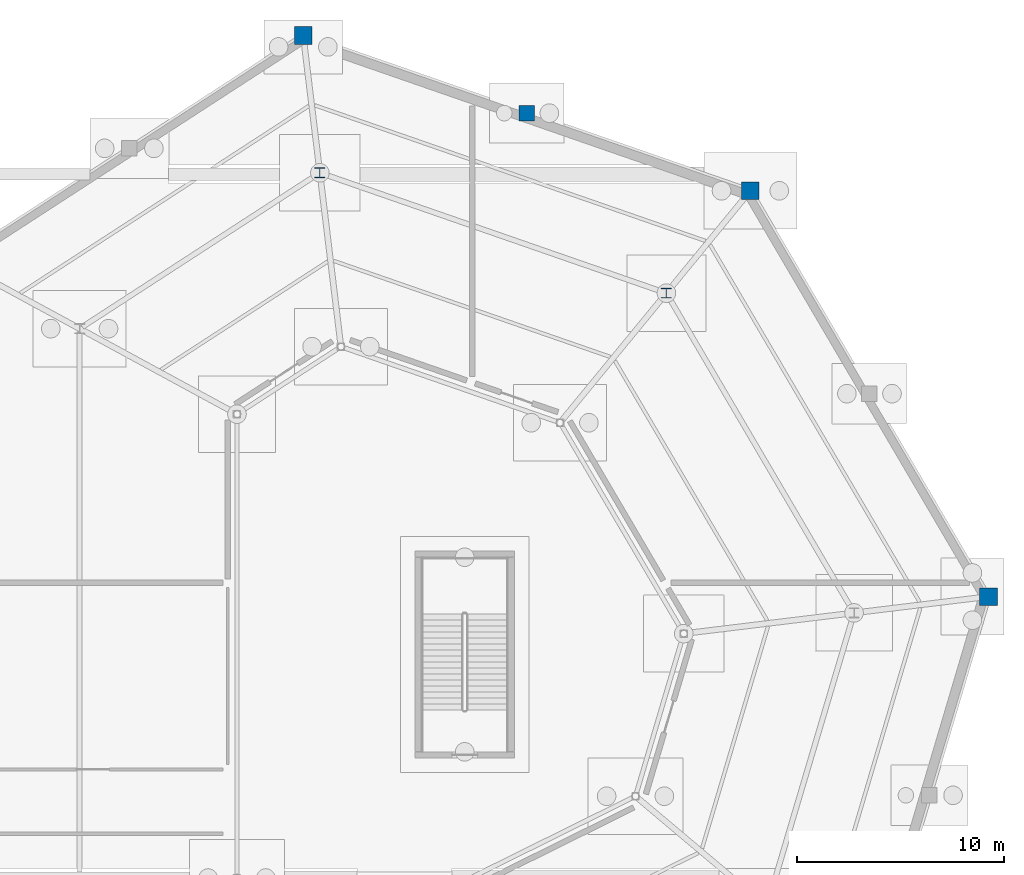
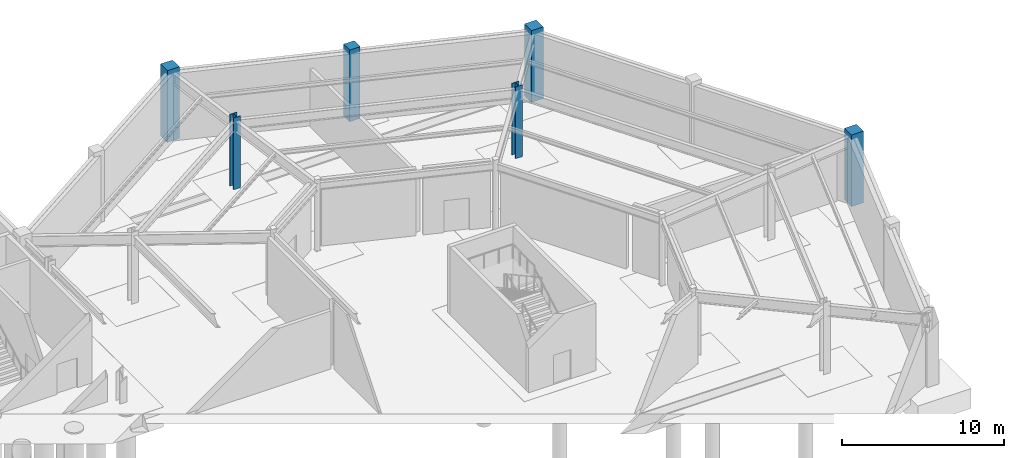
# One storey, part 16 of 48: 6 columns.
"""IFC4 building model written with IfcOpenShell, lengths in metres."""

from ifc_helpers import new_model, si_unit, direction, frame, origin, origin_2d, place, context, subcontext, project, spatial, rectangle, i_section, extrude, material, material_profile, profile_set, type_object, element, save


model = new_model("IFC4")

# Units and contexts
model_context = context("Model", 3, precision=1e-05, world=origin(), true_north=direction((0.0, 1.0)))
body_context = subcontext(model_context, "Body", "Model", "MODEL_VIEW")
ifc_project = project(units=[si_unit("LENGTHUNIT", "METRE"), si_unit("AREAUNIT", "SQUARE_METRE"), si_unit("VOLUMEUNIT", "CUBIC_METRE"), si_unit("PLANEANGLEUNIT", "RADIAN"), si_unit("MASSUNIT", "GRAM", prefix="KILO")], contexts=[model_context])

# Site, building, storey
site_placement = place(None, origin())
site = spatial("IfcSite", under=ifc_project, at=site_placement, CompositionType="ELEMENT")
building_placement = place(site_placement, origin())
building = spatial("IfcBuilding", under=site, at=building_placement, Name="Sarnbrook Museum", CompositionType="ELEMENT")
storey_placement = place(building_placement, frame((0.0, 0.0, -5.39990234375)))
storey = spatial("IfcBuildingStorey", under=building, at=storey_placement, Name="B1", CompositionType="ELEMENT", Elevation=-5.39990234375)

# Columns
ifc_material_1 = material(Name="Concrete N50 (AS 3600, f'c = 50 MPa)", Category="concrete")
ifc_material_profile_1 = material_profile(ifc_material_1, rectangle(XDim=0.75, YDim=0.75, at=origin_2d()), Name="RC 750x750")
ifc_profile_set_1 = profile_set([ifc_material_profile_1], Name="Concrete N50 (AS 3600, f'c = 50 MPa)")
column_type_1 = type_object("IfcColumnType", Name="COL-RC750", PredefinedType="COLUMN", material=ifc_profile_set_1)
column_placement = place(storey_placement, frame((146.800048828125, 111.35009765625, 0.0), z_axis=(0.0, 0.0, 1.0), x_axis=(1.0, 0.0, 0.0)))
element("IfcColumn", 1, at=column_placement, inside=storey, type_object=column_type_1, Name="Colonnade Pier M5 B1", PredefinedType="COLUMN", context=body_context, shape_type="SweptSolid", body=[
    extrude(rectangle(XDim=0.75, YDim=0.75, at=origin_2d()), origin(), (0.0, 0.0, 1.0), 5.39990234375),
])
ifc_material_profile_2 = material_profile(ifc_material_1, rectangle(XDim=0.85009765625, YDim=0.85009765625, at=origin_2d()), Name="RC 850x850")
ifc_profile_set_2 = profile_set([ifc_material_profile_2], Name="Concrete N50 (AS 3600, f'c = 50 MPa)")
column_type_2 = type_object("IfcColumnType", Name="COL-RC850", PredefinedType="COLUMN", material=ifc_profile_set_2)
for number, where, z_axis, x_axis, name in (
    (2, (169.10009765625, 88.0, 0.0), (0.0, 0.0, 1.0), (1.0, 0.0, 0.0), "Crystal Pier Column V4 B1"),
    (3, (157.60009765625, 107.60009765625, 0.0), (0.0, 0.0, 1.0), (1.0, 0.0, 0.0), "Crystal Pier Column V5 B1"),
    (4, (136.0, 115.10009765625, 0.0), (0.0, 0.0, 1.0), (1.0, 0.0, 0.0), "Crystal Pier Column V6 B1"),
):
    element("IfcColumn", number, at=place(storey_placement, frame(where, z_axis=z_axis, x_axis=x_axis)), inside=storey, type_object=column_type_2, Name=name, PredefinedType="COLUMN", context=body_context, shape_type="SweptSolid", body=[
        extrude(rectangle(XDim=0.85009765625, YDim=0.85009765625, at=origin_2d()), origin(), (0.0, 0.0, 1.0), 5.39990234375),
    ])
ifc_material_2 = material(Name="Structural Steel Grade 350L0 (AS/NZS 3678, fy = 340 MPa for 20 < t <= 40 mm)", Category="steel")
ifc_material_profile_3 = material_profile(ifc_material_2, i_section(OverallWidth=0.5, OverallDepth=0.489990234375, WebThickness=0.028076171875, FlangeThickness=0.0400390625, at=origin_2d()), Name="500WC340")
ifc_profile_set_3 = profile_set([ifc_material_profile_3], Name="Structural Steel Grade 350L0 (AS/NZS 3678, fy = 340 MPa for 20 < t <= 40 mm)")
column_type_3 = type_object("IfcColumnType", Name="COL-WC500", PredefinedType="COLUMN", material=ifc_profile_set_3)
for number, where, z_axis, x_axis, name in (
    (5, (153.543701171875, 102.656982421875, 0.0), (0.0, 0.0, 1.0), (1.0, 0.0, 0.0), "Crystal Hall Ring Column R1-5 B1"),
    (6, (136.803955078125, 108.469482421875, 0.0), (0.0, 0.0, 1.0), (1.0, 0.0, 0.0), "Crystal Hall Ring Column R1-6 B1"),
):
    element("IfcColumn", number, at=place(storey_placement, frame(where, z_axis=z_axis, x_axis=x_axis)), inside=storey, type_object=column_type_3, Name=name, PredefinedType="COLUMN", context=body_context, shape_type="SweptSolid", body=[
        extrude(i_section(OverallWidth=0.5, OverallDepth=0.489990234375, WebThickness=0.028076171875, FlangeThickness=0.0400390625, at=origin_2d()), origin(), (0.0, 0.0, 1.0), 5.39990234375),
    ])

save(model, "model.ifc")
